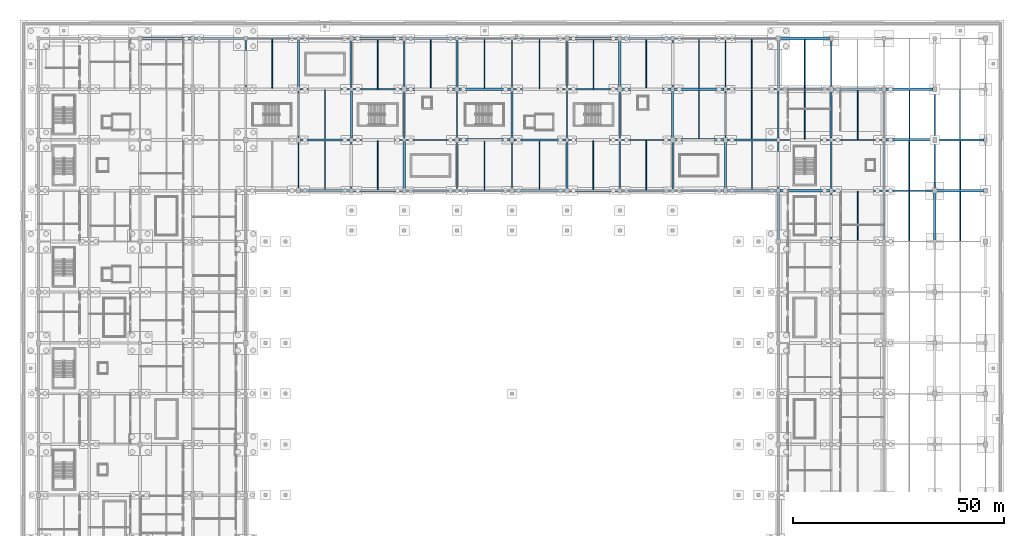
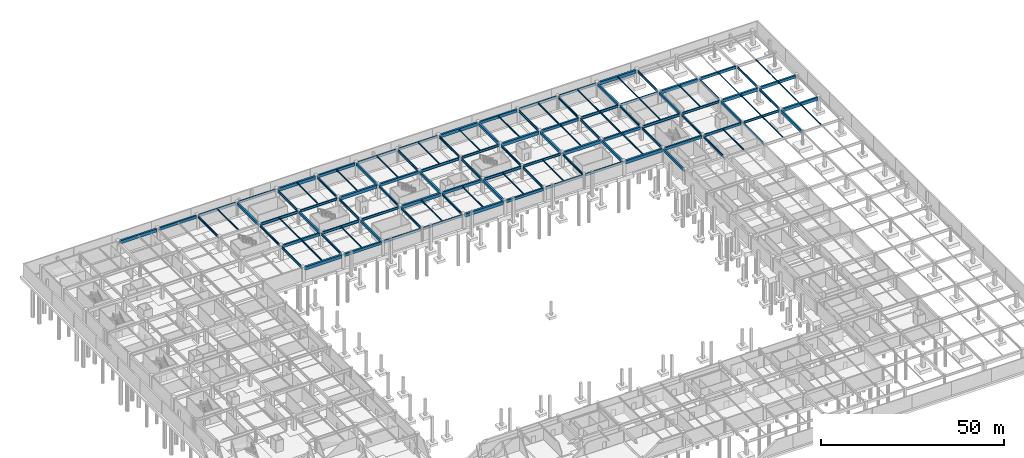
# One storey, part 19 of 56: 122 beams.
"""IFC4 building model written with IfcOpenShell, lengths in metres."""

from ifc_helpers import new_model, si_unit, direction, frame, origin, origin_2d, place, context, subcontext, project, spatial, rectangle, i_section, extrude, material, material_profile, profile_set, type_object, element, save


model = new_model("IFC4")

# Units and contexts
model_context = context("Model", 3, precision=1e-05, world=origin(), true_north=direction((0.0, 1.0)))
body_context = subcontext(model_context, "Body", "Model", "MODEL_VIEW")
ifc_project = project(units=[si_unit("LENGTHUNIT", "METRE"), si_unit("AREAUNIT", "SQUARE_METRE"), si_unit("VOLUMEUNIT", "CUBIC_METRE"), si_unit("PLANEANGLEUNIT", "RADIAN"), si_unit("MASSUNIT", "GRAM", prefix="KILO")], contexts=[model_context])

# Site, building, storey
site_placement = place(None, origin())
site = spatial("IfcSite", under=ifc_project, at=site_placement, CompositionType="ELEMENT")
building_placement = place(site_placement, origin())
building = spatial("IfcBuilding", under=site, at=building_placement, Name="Kazenohara Klinker Stadium", CompositionType="ELEMENT")
storey_placement = place(building_placement, frame((0.0, 0.0, -4.800048828125)))
storey = spatial("IfcBuildingStorey", under=building, at=storey_placement, Name="B01", CompositionType="ELEMENT", Elevation=-4.800048828125)

# Beams
ifc_material_1 = material(Name="Steel S355", Category="steel")
ifc_material_profile_1 = material_profile(ifc_material_1, i_section(OverallWidth=0.199951171875, OverallDepth=0.5, WebThickness=0.010009765625, FlangeThickness=0.01611328125, FilletRadius=0.012939453125, at=origin_2d()), Name="H-500x200x10x16")
ifc_profile_set_1 = profile_set([ifc_material_profile_1], Name="Steel S355")
beam_type_1 = type_object("IfcBeamType", Name="BM-JST01", PredefinedType="JOIST", material=ifc_profile_set_1)
for number, where, z_axis, x_axis, name in (
    (1, (92.75, 156.300048828125, 4.2099609375), (0.0, 1.0, 0.0), (-1.0, 0.0, 0.0), "Secondary floor joist SJ01 B01 8/P"),
    (2, (118.5, 132.300048828125, 4.2099609375), (0.0, 1.0, 0.0), (-1.0, 0.0, 0.0), "Secondary floor joist SJ01 B01 10/M"),
):
    element("IfcBeam", number, at=place(storey_placement, frame(where, z_axis=z_axis, x_axis=x_axis)), inside=storey, type_object=beam_type_1, Name=name, PredefinedType="JOIST", context=body_context, shape_type="SweptSolid", body=[
        extrude(i_section(OverallWidth=0.199951171875, OverallDepth=0.5, WebThickness=0.010009765625, FlangeThickness=0.01611328125, FilletRadius=0.012939453125, at=origin_2d()), origin(), (0.0, 0.0, 1.0), 11.449951171875),
    ])
for number, where, z_axis, x_axis, name in (
    (3, (156.25, 156.25, 4.2099609375), (0.0, 1.0, 0.0), (-1.0, 0.0, 0.0), "Secondary floor joist SJ01 B01 13/P"),
    (4, (168.75, 144.25, 4.2099609375), (0.0, 1.0, 0.0), (-1.0, 0.0, 0.0), "Secondary floor joist SJ01 B01 14/N"),
    (5, (193.75, 120.25, 4.2099609375), (0.0, 1.0, 0.0), (-1.0, 0.0, 0.0), "Secondary floor joist SJ01 B01 16/L"),
):
    element("IfcBeam", number, at=place(storey_placement, frame(where, z_axis=z_axis, x_axis=x_axis)), inside=storey, type_object=beam_type_1, Name=name, PredefinedType="JOIST", context=body_context, shape_type="SweptSolid", body=[
        extrude(i_section(OverallWidth=0.199951171875, OverallDepth=0.5, WebThickness=0.010009765625, FlangeThickness=0.01611328125, FilletRadius=0.012939453125, at=origin_2d()), origin(), (0.0, 0.0, 1.0), 11.60009765625),
    ])
ifc_material_profile_2 = material_profile(ifc_material_1, i_section(OverallWidth=0.199951171875, OverallDepth=0.449951171875, WebThickness=0.009033203125, FlangeThickness=0.013916015625, FilletRadius=0.012939453125, at=origin_2d()), Name="H-450x200x9x14")
ifc_profile_set_2 = profile_set([ifc_material_profile_2], Name="Steel S355")
beam_type_2 = type_object("IfcBeamType", Name="BM-JST02", PredefinedType="JOIST", material=ifc_profile_set_2)
beam_1_placement = place(storey_placement, frame((67.75, 132.300048828125, 4.235107421875), z_axis=(0.0, 1.0, 0.0), x_axis=(-1.0, 0.0, 0.0)))
element("IfcBeam", 6, at=beam_1_placement, inside=storey, type_object=beam_type_2, Name="Secondary floor joist SJ02 B01 6/M", PredefinedType="JOIST", context=body_context, shape_type="SweptSolid", body=[
    extrude(i_section(OverallWidth=0.199951171875, OverallDepth=0.449951171875, WebThickness=0.009033203125, FlangeThickness=0.013916015625, FilletRadius=0.012939453125, at=origin_2d()), origin(), (0.0, 0.0, 1.0), 11.449951171875),
])
for number, where, z_axis, x_axis, name in (
    (7, (105.5, 156.25, 4.235107421875), (0.0, 1.0, 0.0), (-1.0, 0.0, 0.0), "Secondary floor joist SJ02 B01 9/P"),
    (8, (131.25, 132.25, 4.235107421875), (0.0, 1.0, 0.0), (-1.0, 0.0, 0.0), "Secondary floor joist SJ02 B01 11/M"),
):
    element("IfcBeam", number, at=place(storey_placement, frame(where, z_axis=z_axis, x_axis=x_axis)), inside=storey, type_object=beam_type_2, Name=name, PredefinedType="JOIST", context=body_context, shape_type="SweptSolid", body=[
        extrude(i_section(OverallWidth=0.199951171875, OverallDepth=0.449951171875, WebThickness=0.009033203125, FlangeThickness=0.013916015625, FilletRadius=0.012939453125, at=origin_2d()), origin(), (0.0, 0.0, 1.0), 11.60009765625),
    ])
for number, where, z_axis, x_axis, name in (
    (9, (168.75, 156.14990234375, 4.235107421875), (0.0, 1.0, 0.0), (-1.0, 0.0, 0.0), "Secondary floor joist SJ02 B01 14/P"),
    (10, (181.25, 144.14990234375, 4.235107421875), (0.0, 1.0, 0.0), (-1.0, 0.0, 0.0), "Secondary floor joist SJ02 B01 15/N"),
    (11, (206.0, 120.14990234375, 4.235107421875), (0.0, 1.0, 0.0), (-1.0, 0.0, 0.0), "Secondary floor joist SJ02 B01 17/L"),
):
    element("IfcBeam", number, at=place(storey_placement, frame(where, z_axis=z_axis, x_axis=x_axis)), inside=storey, type_object=beam_type_2, Name=name, PredefinedType="JOIST", context=body_context, shape_type="SweptSolid", body=[
        extrude(i_section(OverallWidth=0.199951171875, OverallDepth=0.449951171875, WebThickness=0.009033203125, FlangeThickness=0.013916015625, FilletRadius=0.012939453125, at=origin_2d()), origin(), (0.0, 0.0, 1.0), 11.7001953125),
    ])
ifc_material_profile_3 = material_profile(ifc_material_1, i_section(OverallWidth=0.199951171875, OverallDepth=0.39990234375, WebThickness=0.008056640625, FlangeThickness=0.012939453125, FilletRadius=0.012939453125, at=origin_2d()), Name="H-400x200x8x13")
ifc_profile_set_3 = profile_set([ifc_material_profile_3], Name="Steel S355")
beam_type_3 = type_object("IfcBeamType", Name="BM-JST03", PredefinedType="JOIST", material=ifc_profile_set_3)
for number, where, z_axis, x_axis, name in (
    (12, (55.25, 156.25, 4.260009765625), (0.0, 1.0, 0.0), (-1.0, 0.0, 0.0), "Secondary floor joist SJ03 B01 5/P"),
    (13, (67.75, 144.25, 4.260009765625), (0.0, 1.0, 0.0), (-1.0, 0.0, 0.0), "Secondary floor joist SJ03 B01 6/N"),
    (14, (80.25, 132.25, 4.260009765625), (0.0, 1.0, 0.0), (-1.0, 0.0, 0.0), "Secondary floor joist SJ03 B01 7/M"),
):
    element("IfcBeam", number, at=place(storey_placement, frame(where, z_axis=z_axis, x_axis=x_axis)), inside=storey, type_object=beam_type_3, Name=name, PredefinedType="JOIST", context=body_context, shape_type="SweptSolid", body=[
        extrude(i_section(OverallWidth=0.199951171875, OverallDepth=0.39990234375, WebThickness=0.008056640625, FlangeThickness=0.012939453125, FilletRadius=0.012939453125, at=origin_2d()), origin(), (0.0, 0.0, 1.0), 11.60009765625),
    ])
for number, where, z_axis, x_axis, name in (
    (15, (118.5, 156.14990234375, 4.260009765625), (0.0, 1.0, 0.0), (-1.0, 0.0, 0.0), "Secondary floor joist SJ03 B01 10/P"),
    (16, (143.75, 132.14990234375, 4.260009765625), (0.0, 1.0, 0.0), (-1.0, 0.0, 0.0), "Secondary floor joist SJ03 B01 12/M"),
):
    element("IfcBeam", number, at=place(storey_placement, frame(where, z_axis=z_axis, x_axis=x_axis)), inside=storey, type_object=beam_type_3, Name=name, PredefinedType="JOIST", context=body_context, shape_type="SweptSolid", body=[
        extrude(i_section(OverallWidth=0.199951171875, OverallDepth=0.39990234375, WebThickness=0.008056640625, FlangeThickness=0.012939453125, FilletRadius=0.012939453125, at=origin_2d()), origin(), (0.0, 0.0, 1.0), 11.7001953125),
    ])
for number, where, z_axis, x_axis, name in (
    (17, (181.25, 156.14990234375, 4.260009765625), (0.0, 1.0, 0.0), (-1.0, 0.0, 0.0), "Secondary floor joist SJ03 B01 15/P"),
    (18, (193.75, 144.14990234375, 4.260009765625), (0.0, 1.0, 0.0), (-1.0, 0.0, 0.0), "Secondary floor joist SJ03 B01 16/N"),
    (19, (206.0, 132.14990234375, 4.260009765625), (0.0, 1.0, 0.0), (-1.0, 0.0, 0.0), "Secondary floor joist SJ03 B01 17/M"),
    (20, (218.0, 120.14990234375, 4.260009765625), (0.0, 1.0, 0.0), (-1.0, 0.0, 0.0), "Secondary floor joist SJ03 B01 18/L"),
):
    element("IfcBeam", number, at=place(storey_placement, frame(where, z_axis=z_axis, x_axis=x_axis)), inside=storey, type_object=beam_type_3, Name=name, PredefinedType="JOIST", context=body_context, shape_type="SweptSolid", body=[
        extrude(i_section(OverallWidth=0.199951171875, OverallDepth=0.39990234375, WebThickness=0.008056640625, FlangeThickness=0.012939453125, FilletRadius=0.012939453125, at=origin_2d()), origin(), (0.0, 0.0, 1.0), 11.550048828125),
    ])
ifc_material_profile_4 = material_profile(ifc_material_1, i_section(OverallWidth=0.175048828125, OverallDepth=0.35009765625, WebThickness=0.007080078125, FlangeThickness=0.010986328125, FilletRadius=0.012939453125, at=origin_2d()), Name="H-350x175x7x11")
ifc_profile_set_4 = profile_set([ifc_material_profile_4], Name="Steel S355")
beam_type_4 = type_object("IfcBeamType", Name="BM-JST04", PredefinedType="JOIST", material=ifc_profile_set_4)
beam_2_placement = place(storey_placement, frame((131.25, 156.14990234375, 4.28515625), z_axis=(0.0, 1.0, 0.0), x_axis=(-1.0, 0.0, 0.0)))
element("IfcBeam", 21, at=beam_2_placement, inside=storey, type_object=beam_type_4, Name="Secondary floor joist SJ04 B01 11/P", PredefinedType="JOIST", context=body_context, shape_type="SweptSolid", body=[
    extrude(i_section(OverallWidth=0.175048828125, OverallDepth=0.35009765625, WebThickness=0.007080078125, FlangeThickness=0.010986328125, FilletRadius=0.012939453125, at=origin_2d()), origin(), (0.0, 0.0, 1.0), 11.550048828125),
])
for number, where, z_axis, x_axis, name in (
    (22, (206.0, 144.300048828125, 4.28515625), (0.0, 1.0, 0.0), (-1.0, 0.0, 0.0), "Secondary floor joist SJ04 B01 17/N"),
    (23, (218.0, 132.300048828125, 4.28515625), (0.0, 1.0, 0.0), (-1.0, 0.0, 0.0), "Secondary floor joist SJ04 B01 18/M"),
):
    element("IfcBeam", number, at=place(storey_placement, frame(where, z_axis=z_axis, x_axis=x_axis)), inside=storey, type_object=beam_type_4, Name=name, PredefinedType="JOIST", context=body_context, shape_type="SweptSolid", body=[
        extrude(i_section(OverallWidth=0.175048828125, OverallDepth=0.35009765625, WebThickness=0.007080078125, FlangeThickness=0.010986328125, FilletRadius=0.012939453125, at=origin_2d()), origin(), (0.0, 0.0, 1.0), 11.449951171875),
    ])
ifc_material_profile_5 = material_profile(ifc_material_1, i_section(OverallWidth=0.14990234375, OverallDepth=0.300048828125, WebThickness=0.006591796875, FlangeThickness=0.009033203125, FilletRadius=0.012939453125, at=origin_2d()), Name="H-300x150x6.5x9")
ifc_profile_set_5 = profile_set([ifc_material_profile_5], Name="Steel S355")
beam_type_5 = type_object("IfcBeamType", Name="BM-JST05", PredefinedType="JOIST", material=ifc_profile_set_5)
for number, where, z_axis, x_axis, name in (
    (24, (80.25, 156.14990234375, 4.31005859375), (0.0, 1.0, 0.0), (-1.0, 0.0, 0.0), "Secondary floor joist SJ05 B01 7/P"),
    (25, (105.5, 132.14990234375, 4.31005859375), (0.0, 1.0, 0.0), (-1.0, 0.0, 0.0), "Secondary floor joist SJ05 B01 9/M"),
):
    element("IfcBeam", number, at=place(storey_placement, frame(where, z_axis=z_axis, x_axis=x_axis)), inside=storey, type_object=beam_type_5, Name=name, PredefinedType="JOIST", context=body_context, shape_type="SweptSolid", body=[
        extrude(i_section(OverallWidth=0.14990234375, OverallDepth=0.300048828125, WebThickness=0.006591796875, FlangeThickness=0.009033203125, FilletRadius=0.012939453125, at=origin_2d()), origin(), (0.0, 0.0, 1.0), 11.550048828125),
    ])
for number, where, z_axis, x_axis, name in (
    (26, (143.75, 156.300048828125, 4.31005859375), (0.0, 1.0, 0.0), (-1.0, 0.0, 0.0), "Secondary floor joist SJ05 B01 12/P"),
    (27, (156.25, 144.300048828125, 4.31005859375), (0.0, 1.0, 0.0), (-1.0, 0.0, 0.0), "Secondary floor joist SJ05 B01 13/N"),
    (28, (168.75, 132.300048828125, 4.31005859375), (0.0, 1.0, 0.0), (-1.0, 0.0, 0.0), "Secondary floor joist SJ05 B01 14/M"),
):
    element("IfcBeam", number, at=place(storey_placement, frame(where, z_axis=z_axis, x_axis=x_axis)), inside=storey, type_object=beam_type_5, Name=name, PredefinedType="JOIST", context=body_context, shape_type="SweptSolid", body=[
        extrude(i_section(OverallWidth=0.14990234375, OverallDepth=0.300048828125, WebThickness=0.006591796875, FlangeThickness=0.009033203125, FilletRadius=0.012939453125, at=origin_2d()), origin(), (0.0, 0.0, 1.0), 11.449951171875),
    ])
beam_3_placement = place(storey_placement, frame((218.0, 144.25, 4.31005859375), z_axis=(0.0, 1.0, 0.0), x_axis=(-1.0, 0.0, 0.0)))
element("IfcBeam", 29, at=beam_3_placement, inside=storey, type_object=beam_type_5, Name="Secondary floor joist SJ05 B01 18/N", PredefinedType="JOIST", context=body_context, shape_type="SweptSolid", body=[
    extrude(i_section(OverallWidth=0.14990234375, OverallDepth=0.300048828125, WebThickness=0.006591796875, FlangeThickness=0.009033203125, FilletRadius=0.012939453125, at=origin_2d()), origin(), (0.0, 0.0, 1.0), 11.60009765625),
])
ifc_material_2 = material(Name="Concrete C40/50", Category="concrete")
ifc_material_profile_6 = material_profile(ifc_material_2, rectangle(XDim=0.60009765625, YDim=1.050048828125, at=origin_2d()), Name="RC-BM-600x1050")
ifc_profile_set_6 = profile_set([ifc_material_profile_6], Name="Concrete C40/50")
beam_type_6 = type_object("IfcBeamType", Name="BM-RC01", PredefinedType="BEAM", material=ifc_profile_set_6)
for number, where, z_axis, x_axis, name in (
    (30, (24.419921875, 168.0, 3.93505859375), (1.0, 0.0, 0.0), (0.0, 1.0, 0.0), "Primary girder BG01 B01 3-4/Q"),
    (31, (61.919921875, 132.0, 3.93505859375), (1.0, 0.0, 0.0), (0.0, 1.0, 0.0), "Primary girder BG01 B01 6-7/M"),
    (32, (74.419921875, 168.0, 3.93505859375), (1.0, 0.0, 0.0), (0.0, 1.0, 0.0), "Primary girder BG01 B01 7-8/Q"),
    (33, (86.919921875, 156.0, 3.93505859375), (1.0, 0.0, 0.0), (0.0, 1.0, 0.0), "Primary girder BG01 B01 8-9/P"),
):
    element("IfcBeam", number, at=place(storey_placement, frame(where, z_axis=z_axis, x_axis=x_axis)), inside=storey, type_object=beam_type_6, Name=name, PredefinedType="BEAM", context=body_context, shape_type="SweptSolid", body=[
        extrude(rectangle(XDim=0.60009765625, YDim=1.050048828125, at=origin_2d()), origin(), (0.0, 0.0, 1.0), 11.66015625),
    ])
for number, where, z_axis, x_axis, name in (
    (34, (99.419921875, 144.0, 3.93505859375), (1.0, 0.0, 0.0), (0.0, 1.0, 0.0), "Primary girder BG01 B01 9-10/N"),
    (35, (112.419921875, 132.0, 3.93505859375), (1.0, 0.0, 0.0), (0.0, 1.0, 0.0), "Primary girder BG01 B01 10-11/M"),
):
    element("IfcBeam", number, at=place(storey_placement, frame(where, z_axis=z_axis, x_axis=x_axis)), inside=storey, type_object=beam_type_6, Name=name, PredefinedType="BEAM", context=body_context, shape_type="SweptSolid", body=[
        extrude(rectangle(XDim=0.60009765625, YDim=1.050048828125, at=origin_2d()), origin(), (0.0, 0.0, 1.0), 12.16015625),
    ])
for number, where, z_axis, x_axis, name in (
    (36, (125.419921875, 168.0, 3.93505859375), (1.0, 0.0, 0.0), (0.0, 1.0, 0.0), "Primary girder BG01 B01 11-12/Q"),
    (37, (137.919921875, 156.0, 3.93505859375), (1.0, 0.0, 0.0), (0.0, 1.0, 0.0), "Primary girder BG01 B01 12-13/P"),
    (38, (150.419921875, 144.0, 3.93505859375), (1.0, 0.0, 0.0), (0.0, 1.0, 0.0), "Primary girder BG01 B01 13-14/N"),
    (39, (162.919921875, 132.0, 3.93505859375), (1.0, 0.0, 0.0), (0.0, 1.0, 0.0), "Primary girder BG01 B01 14-15/M"),
    (40, (175.419921875, 168.0, 3.93505859375), (1.0, 0.0, 0.0), (0.0, 1.0, 0.0), "Primary girder BG01 B01 15-16/Q"),
    (41, (187.919921875, 156.0, 3.93505859375), (1.0, 0.0, 0.0), (0.0, 1.0, 0.0), "Primary girder BG01 B01 16-17/P"),
):
    element("IfcBeam", number, at=place(storey_placement, frame(where, z_axis=z_axis, x_axis=x_axis)), inside=storey, type_object=beam_type_6, Name=name, PredefinedType="BEAM", context=body_context, shape_type="SweptSolid", body=[
        extrude(rectangle(XDim=0.60009765625, YDim=1.050048828125, at=origin_2d()), origin(), (0.0, 0.0, 1.0), 11.66015625),
    ])
for number, where, z_axis, x_axis, name in (
    (42, (200.419921875, 144.0, 3.93505859375), (1.0, 0.0, 0.0), (0.0, 1.0, 0.0), "Primary girder BG01 B01 17-18/N"),
    (43, (212.419921875, 132.0, 3.93505859375), (1.0, 0.0, 0.0), (0.0, 1.0, 0.0), "Primary girder BG01 B01 18-19/M"),
):
    element("IfcBeam", number, at=place(storey_placement, frame(where, z_axis=z_axis, x_axis=x_axis)), inside=storey, type_object=beam_type_6, Name=name, PredefinedType="BEAM", context=body_context, shape_type="SweptSolid", body=[
        extrude(rectangle(XDim=0.60009765625, YDim=1.050048828125, at=origin_2d()), origin(), (0.0, 0.0, 1.0), 11.16015625),
    ])
ifc_material_profile_7 = material_profile(ifc_material_2, rectangle(XDim=0.5, YDim=0.89990234375, at=origin_2d()), Name="RC-BM-500x900")
ifc_profile_set_7 = profile_set([ifc_material_profile_7], Name="Concrete C40/50")
beam_type_7 = type_object("IfcBeamType", Name="BM-RC02", PredefinedType="BEAM", material=ifc_profile_set_7)
for number, where, z_axis, x_axis, name in (
    (44, (36.919921875, 168.0, 4.010009765625), (1.0, 0.0, 0.0), (0.0, 1.0, 0.0), "Primary girder BG02 B01 4-5/Q"),
    (45, (61.919921875, 144.0, 4.010009765625), (1.0, 0.0, 0.0), (0.0, 1.0, 0.0), "Primary girder BG02 B01 6-7/N"),
    (46, (74.419921875, 132.0, 4.010009765625), (1.0, 0.0, 0.0), (0.0, 1.0, 0.0), "Primary girder BG02 B01 7-8/M"),
    (47, (86.919921875, 168.0, 4.010009765625), (1.0, 0.0, 0.0), (0.0, 1.0, 0.0), "Primary girder BG02 B01 8-9/Q"),
):
    element("IfcBeam", number, at=place(storey_placement, frame(where, z_axis=z_axis, x_axis=x_axis)), inside=storey, type_object=beam_type_7, Name=name, PredefinedType="BEAM", context=body_context, shape_type="SweptSolid", body=[
        extrude(rectangle(XDim=0.5, YDim=0.89990234375, at=origin_2d()), origin(), (0.0, 0.0, 1.0), 11.68017578125),
    ])
for number, where, z_axis, x_axis, name in (
    (48, (99.419921875, 156.0, 4.010009765625), (1.0, 0.0, 0.0), (0.0, 1.0, 0.0), "Primary girder BG02 B01 9-10/P"),
    (49, (112.419921875, 144.0, 4.010009765625), (1.0, 0.0, 0.0), (0.0, 1.0, 0.0), "Primary girder BG02 B01 10-11/N"),
):
    element("IfcBeam", number, at=place(storey_placement, frame(where, z_axis=z_axis, x_axis=x_axis)), inside=storey, type_object=beam_type_7, Name=name, PredefinedType="BEAM", context=body_context, shape_type="SweptSolid", body=[
        extrude(rectangle(XDim=0.5, YDim=0.89990234375, at=origin_2d()), origin(), (0.0, 0.0, 1.0), 12.18017578125),
    ])
for number, where, z_axis, x_axis, name in (
    (50, (125.419921875, 132.0, 4.010009765625), (1.0, 0.0, 0.0), (0.0, 1.0, 0.0), "Primary girder BG02 B01 11-12/M"),
    (51, (137.919921875, 168.0, 4.010009765625), (1.0, 0.0, 0.0), (0.0, 1.0, 0.0), "Primary girder BG02 B01 12-13/Q"),
    (52, (150.419921875, 156.0, 4.010009765625), (1.0, 0.0, 0.0), (0.0, 1.0, 0.0), "Primary girder BG02 B01 13-14/P"),
    (53, (162.919921875, 144.0, 4.010009765625), (1.0, 0.0, 0.0), (0.0, 1.0, 0.0), "Primary girder BG02 B01 14-15/N"),
    (54, (175.419921875, 132.0, 4.010009765625), (1.0, 0.0, 0.0), (0.0, 1.0, 0.0), "Primary girder BG02 B01 15-16/M"),
):
    element("IfcBeam", number, at=place(storey_placement, frame(where, z_axis=z_axis, x_axis=x_axis)), inside=storey, type_object=beam_type_7, Name=name, PredefinedType="BEAM", context=body_context, shape_type="SweptSolid", body=[
        extrude(rectangle(XDim=0.5, YDim=0.89990234375, at=origin_2d()), origin(), (0.0, 0.0, 1.0), 11.68017578125),
    ])
for number, where, z_axis, x_axis, name in (
    (55, (200.419921875, 156.0, 4.010009765625), (1.0, 0.0, 0.0), (0.0, 1.0, 0.0), "Primary girder BG02 B01 17-18/P"),
    (56, (212.419921875, 144.0, 4.010009765625), (1.0, 0.0, 0.0), (0.0, 1.0, 0.0), "Primary girder BG02 B01 18-19/N"),
):
    element("IfcBeam", number, at=place(storey_placement, frame(where, z_axis=z_axis, x_axis=x_axis)), inside=storey, type_object=beam_type_7, Name=name, PredefinedType="BEAM", context=body_context, shape_type="SweptSolid", body=[
        extrude(rectangle(XDim=0.5, YDim=0.89990234375, at=origin_2d()), origin(), (0.0, 0.0, 1.0), 11.18017578125),
    ])
for number, where, z_axis, x_axis, name in (
    (57, (61.5, 156.419921875, 4.010009765625), (0.0, 1.0, 0.0), (-1.0, 0.0, 0.0), "Primary girder BG02 B01 6/P-Q"),
    (58, (74.0, 144.419921875, 4.010009765625), (0.0, 1.0, 0.0), (-1.0, 0.0, 0.0), "Primary girder BG02 B01 7/N-P"),
    (59, (86.5, 132.419921875, 4.010009765625), (0.0, 1.0, 0.0), (-1.0, 0.0, 0.0), "Primary girder BG02 B01 8/M-N"),
    (60, (99.0, 156.419921875, 4.010009765625), (0.0, 1.0, 0.0), (-1.0, 0.0, 0.0), "Primary girder BG02 B01 9/P-Q"),
    (61, (112.0, 144.419921875, 4.010009765625), (0.0, 1.0, 0.0), (-1.0, 0.0, 0.0), "Primary girder BG02 B01 10/N-P"),
    (62, (125.0, 132.419921875, 4.010009765625), (0.0, 1.0, 0.0), (-1.0, 0.0, 0.0), "Primary girder BG02 B01 11/M-N"),
    (63, (137.5, 156.419921875, 4.010009765625), (0.0, 1.0, 0.0), (-1.0, 0.0, 0.0), "Primary girder BG02 B01 12/P-Q"),
    (64, (150.0, 144.419921875, 4.010009765625), (0.0, 1.0, 0.0), (-1.0, 0.0, 0.0), "Primary girder BG02 B01 13/N-P"),
    (65, (162.5, 132.419921875, 4.010009765625), (0.0, 1.0, 0.0), (-1.0, 0.0, 0.0), "Primary girder BG02 B01 14/M-N"),
    (66, (175.0, 120.419921875, 4.010009765625), (0.0, 1.0, 0.0), (-1.0, 0.0, 0.0), "Primary girder BG02 B01 15/L-M"),
    (67, (175.0, 156.419921875, 4.010009765625), (0.0, 1.0, 0.0), (-1.0, 0.0, 0.0), "Primary girder BG02 B01 15/P-Q"),
    (68, (187.5, 144.419921875, 4.010009765625), (0.0, 1.0, 0.0), (-1.0, 0.0, 0.0), "Primary girder BG02 B01 16/N-P"),
    (69, (200.0, 132.419921875, 4.010009765625), (0.0, 1.0, 0.0), (-1.0, 0.0, 0.0), "Primary girder BG02 B01 17/M-N"),
    (70, (212.0, 120.419921875, 4.010009765625), (0.0, 1.0, 0.0), (-1.0, 0.0, 0.0), "Primary girder BG02 B01 18/L-M"),
):
    element("IfcBeam", number, at=place(storey_placement, frame(where, z_axis=z_axis, x_axis=x_axis)), inside=storey, type_object=beam_type_7, Name=name, PredefinedType="BEAM", context=body_context, shape_type="SweptSolid", body=[
        extrude(rectangle(XDim=0.5, YDim=0.89990234375, at=origin_2d()), origin(), (0.0, 0.0, 1.0), 11.16015625),
    ])
ifc_material_profile_8 = material_profile(ifc_material_1, i_section(OverallWidth=0.300048828125, OverallDepth=0.89990234375, WebThickness=0.01611328125, FlangeThickness=0.028076171875, FilletRadius=0.02197265625, at=origin_2d()), Name="H-900x300x16x28")
ifc_profile_set_8 = profile_set([ifc_material_profile_8], Name="Steel S355")
beam_type_8 = type_object("IfcBeamType", Name="BM-ST01", PredefinedType="BEAM", material=ifc_profile_set_8)
for number, where, z_axis, x_axis, name in (
    (71, (49.39990234375, 168.0, 4.010009765625), (1.0, 0.0, 0.0), (0.0, 1.0, 0.0), "Primary girder SB01 B01 5-6/Q"),
    (72, (61.89990234375, 156.0, 4.010009765625), (1.0, 0.0, 0.0), (0.0, 1.0, 0.0), "Primary girder SB01 B01 6-7/P"),
    (73, (74.39990234375, 144.0, 4.010009765625), (1.0, 0.0, 0.0), (0.0, 1.0, 0.0), "Primary girder SB01 B01 7-8/N"),
    (74, (86.89990234375, 132.0, 4.010009765625), (1.0, 0.0, 0.0), (0.0, 1.0, 0.0), "Primary girder SB01 B01 8-9/M"),
):
    element("IfcBeam", number, at=place(storey_placement, frame(where, z_axis=z_axis, x_axis=x_axis)), inside=storey, type_object=beam_type_8, Name=name, PredefinedType="BEAM", context=body_context, shape_type="SweptSolid", body=[
        extrude(i_section(OverallWidth=0.300048828125, OverallDepth=0.89990234375, WebThickness=0.01611328125, FlangeThickness=0.028076171875, FilletRadius=0.02197265625, at=origin_2d()), origin(), (0.0, 0.0, 1.0), 11.68017578125),
    ])
for number, where, z_axis, x_axis, name in (
    (75, (99.39990234375, 168.0, 4.010009765625), (1.0, 0.0, 0.0), (0.0, 1.0, 0.0), "Primary girder SB01 B01 9-10/Q"),
    (76, (112.39990234375, 156.0, 4.010009765625), (1.0, 0.0, 0.0), (0.0, 1.0, 0.0), "Primary girder SB01 B01 10-11/P"),
):
    element("IfcBeam", number, at=place(storey_placement, frame(where, z_axis=z_axis, x_axis=x_axis)), inside=storey, type_object=beam_type_8, Name=name, PredefinedType="BEAM", context=body_context, shape_type="SweptSolid", body=[
        extrude(i_section(OverallWidth=0.300048828125, OverallDepth=0.89990234375, WebThickness=0.01611328125, FlangeThickness=0.028076171875, FilletRadius=0.02197265625, at=origin_2d()), origin(), (0.0, 0.0, 1.0), 12.18017578125),
    ])
for number, where, z_axis, x_axis, name in (
    (77, (125.39990234375, 144.0, 4.010009765625), (1.0, 0.0, 0.0), (0.0, 1.0, 0.0), "Primary girder SB01 B01 11-12/N"),
    (78, (137.89990234375, 132.0, 4.010009765625), (1.0, 0.0, 0.0), (0.0, 1.0, 0.0), "Primary girder SB01 B01 12-13/M"),
    (79, (150.39990234375, 168.0, 4.010009765625), (1.0, 0.0, 0.0), (0.0, 1.0, 0.0), "Primary girder SB01 B01 13-14/Q"),
    (80, (162.89990234375, 156.0, 4.010009765625), (1.0, 0.0, 0.0), (0.0, 1.0, 0.0), "Primary girder SB01 B01 14-15/P"),
    (81, (175.39990234375, 144.0, 4.010009765625), (1.0, 0.0, 0.0), (0.0, 1.0, 0.0), "Primary girder SB01 B01 15-16/N"),
    (82, (187.89990234375, 132.0, 4.010009765625), (1.0, 0.0, 0.0), (0.0, 1.0, 0.0), "Primary girder SB01 B01 16-17/M"),
):
    element("IfcBeam", number, at=place(storey_placement, frame(where, z_axis=z_axis, x_axis=x_axis)), inside=storey, type_object=beam_type_8, Name=name, PredefinedType="BEAM", context=body_context, shape_type="SweptSolid", body=[
        extrude(i_section(OverallWidth=0.300048828125, OverallDepth=0.89990234375, WebThickness=0.01611328125, FlangeThickness=0.028076171875, FilletRadius=0.02197265625, at=origin_2d()), origin(), (0.0, 0.0, 1.0), 11.68017578125),
    ])
ifc_material_profile_9 = material_profile(ifc_material_1, i_section(OverallWidth=0.300048828125, OverallDepth=0.800048828125, WebThickness=0.013916015625, FlangeThickness=0.02587890625, FilletRadius=0.02197265625, at=origin_2d()), Name="H-800x300x14x26")
ifc_profile_set_9 = profile_set([ifc_material_profile_9], Name="Steel S355")
beam_type_9 = type_object("IfcBeamType", Name="BM-ST02", PredefinedType="BEAM", material=ifc_profile_set_9)
for number, where, z_axis, x_axis, name in (
    (83, (61.919921875, 168.0, 4.06005859375), (1.0, 0.0, 0.0), (0.0, 1.0, 0.0), "Primary girder SB02 B01 6-7/Q"),
    (84, (74.419921875, 156.0, 4.06005859375), (1.0, 0.0, 0.0), (0.0, 1.0, 0.0), "Primary girder SB02 B01 7-8/P"),
    (85, (86.919921875, 144.0, 4.06005859375), (1.0, 0.0, 0.0), (0.0, 1.0, 0.0), "Primary girder SB02 B01 8-9/N"),
):
    element("IfcBeam", number, at=place(storey_placement, frame(where, z_axis=z_axis, x_axis=x_axis)), inside=storey, type_object=beam_type_9, Name=name, PredefinedType="BEAM", context=body_context, shape_type="SweptSolid", body=[
        extrude(i_section(OverallWidth=0.300048828125, OverallDepth=0.800048828125, WebThickness=0.013916015625, FlangeThickness=0.02587890625, FilletRadius=0.02197265625, at=origin_2d()), origin(), (0.0, 0.0, 1.0), 11.66015625),
    ])
for number, where, z_axis, x_axis, name in (
    (86, (99.419921875, 132.0, 4.06005859375), (1.0, 0.0, 0.0), (0.0, 1.0, 0.0), "Primary girder SB02 B01 9-10/M"),
    (87, (112.419921875, 168.0, 4.06005859375), (1.0, 0.0, 0.0), (0.0, 1.0, 0.0), "Primary girder SB02 B01 10-11/Q"),
):
    element("IfcBeam", number, at=place(storey_placement, frame(where, z_axis=z_axis, x_axis=x_axis)), inside=storey, type_object=beam_type_9, Name=name, PredefinedType="BEAM", context=body_context, shape_type="SweptSolid", body=[
        extrude(i_section(OverallWidth=0.300048828125, OverallDepth=0.800048828125, WebThickness=0.013916015625, FlangeThickness=0.02587890625, FilletRadius=0.02197265625, at=origin_2d()), origin(), (0.0, 0.0, 1.0), 12.16015625),
    ])
for number, where, z_axis, x_axis, name in (
    (88, (125.419921875, 156.0, 4.06005859375), (1.0, 0.0, 0.0), (0.0, 1.0, 0.0), "Primary girder SB02 B01 11-12/P"),
    (89, (137.919921875, 144.0, 4.06005859375), (1.0, 0.0, 0.0), (0.0, 1.0, 0.0), "Primary girder SB02 B01 12-13/N"),
    (90, (150.419921875, 132.0, 4.06005859375), (1.0, 0.0, 0.0), (0.0, 1.0, 0.0), "Primary girder SB02 B01 13-14/M"),
    (91, (162.919921875, 168.0, 4.06005859375), (1.0, 0.0, 0.0), (0.0, 1.0, 0.0), "Primary girder SB02 B01 14-15/Q"),
    (92, (175.419921875, 156.0, 4.06005859375), (1.0, 0.0, 0.0), (0.0, 1.0, 0.0), "Primary girder SB02 B01 15-16/P"),
    (93, (187.919921875, 144.0, 4.06005859375), (1.0, 0.0, 0.0), (0.0, 1.0, 0.0), "Primary girder SB02 B01 16-17/N"),
):
    element("IfcBeam", number, at=place(storey_placement, frame(where, z_axis=z_axis, x_axis=x_axis)), inside=storey, type_object=beam_type_9, Name=name, PredefinedType="BEAM", context=body_context, shape_type="SweptSolid", body=[
        extrude(i_section(OverallWidth=0.300048828125, OverallDepth=0.800048828125, WebThickness=0.013916015625, FlangeThickness=0.02587890625, FilletRadius=0.02197265625, at=origin_2d()), origin(), (0.0, 0.0, 1.0), 11.66015625),
    ])
for number, where, z_axis, x_axis, name in (
    (94, (200.419921875, 132.0, 4.06005859375), (1.0, 0.0, 0.0), (0.0, 1.0, 0.0), "Primary girder SB02 B01 17-18/M"),
    (95, (61.5, 132.419921875, 4.06005859375), (0.0, 1.0, 0.0), (-1.0, 0.0, 0.0), "Primary girder SB02 B01 6/M-N"),
    (96, (74.0, 156.419921875, 4.06005859375), (0.0, 1.0, 0.0), (-1.0, 0.0, 0.0), "Primary girder SB02 B01 7/P-Q"),
    (97, (86.5, 144.419921875, 4.06005859375), (0.0, 1.0, 0.0), (-1.0, 0.0, 0.0), "Primary girder SB02 B01 8/N-P"),
    (98, (99.0, 132.419921875, 4.06005859375), (0.0, 1.0, 0.0), (-1.0, 0.0, 0.0), "Primary girder SB02 B01 9/M-N"),
    (99, (112.0, 156.419921875, 4.06005859375), (0.0, 1.0, 0.0), (-1.0, 0.0, 0.0), "Primary girder SB02 B01 10/P-Q"),
    (100, (125.0, 144.419921875, 4.06005859375), (0.0, 1.0, 0.0), (-1.0, 0.0, 0.0), "Primary girder SB02 B01 11/N-P"),
    (101, (137.5, 132.419921875, 4.06005859375), (0.0, 1.0, 0.0), (-1.0, 0.0, 0.0), "Primary girder SB02 B01 12/M-N"),
    (102, (150.0, 156.419921875, 4.06005859375), (0.0, 1.0, 0.0), (-1.0, 0.0, 0.0), "Primary girder SB02 B01 13/P-Q"),
    (103, (162.5, 144.419921875, 4.06005859375), (0.0, 1.0, 0.0), (-1.0, 0.0, 0.0), "Primary girder SB02 B01 14/N-P"),
    (104, (175.0, 132.419921875, 4.06005859375), (0.0, 1.0, 0.0), (-1.0, 0.0, 0.0), "Primary girder SB02 B01 15/M-N"),
    (105, (187.5, 120.419921875, 4.06005859375), (0.0, 1.0, 0.0), (-1.0, 0.0, 0.0), "Primary girder SB02 B01 16/L-M"),
    (106, (187.5, 156.419921875, 4.06005859375), (0.0, 1.0, 0.0), (-1.0, 0.0, 0.0), "Primary girder SB02 B01 16/P-Q"),
    (107, (200.0, 144.419921875, 4.06005859375), (0.0, 1.0, 0.0), (-1.0, 0.0, 0.0), "Primary girder SB02 B01 17/N-P"),
    (108, (212.0, 132.419921875, 4.06005859375), (0.0, 1.0, 0.0), (-1.0, 0.0, 0.0), "Primary girder SB02 B01 18/M-N"),
):
    element("IfcBeam", number, at=place(storey_placement, frame(where, z_axis=z_axis, x_axis=x_axis)), inside=storey, type_object=beam_type_9, Name=name, PredefinedType="BEAM", context=body_context, shape_type="SweptSolid", body=[
        extrude(i_section(OverallWidth=0.300048828125, OverallDepth=0.800048828125, WebThickness=0.013916015625, FlangeThickness=0.02587890625, FilletRadius=0.02197265625, at=origin_2d()), origin(), (0.0, 0.0, 1.0), 11.16015625),
    ])
ifc_material_profile_10 = material_profile(ifc_material_1, i_section(OverallWidth=0.300048828125, OverallDepth=0.699951171875, WebThickness=0.012939453125, FlangeThickness=0.02392578125, FilletRadius=0.02197265625, at=origin_2d()), Name="H-700x300x13x24")
ifc_profile_set_10 = profile_set([ifc_material_profile_10], Name="Steel S355")
beam_type_10 = type_object("IfcBeamType", Name="BM-ST03", PredefinedType="BEAM", material=ifc_profile_set_10)
for number, where, z_axis, x_axis, name in (
    (109, (49.0, 156.419921875, 4.110107421875), (0.0, 1.0, 0.0), (-1.0, 0.0, 0.0), "Primary girder SB03 B01 5/P-Q"),
    (110, (61.5, 144.419921875, 4.110107421875), (0.0, 1.0, 0.0), (-1.0, 0.0, 0.0), "Primary girder SB03 B01 6/N-P"),
    (111, (74.0, 132.419921875, 4.110107421875), (0.0, 1.0, 0.0), (-1.0, 0.0, 0.0), "Primary girder SB03 B01 7/M-N"),
    (112, (86.5, 156.419921875, 4.110107421875), (0.0, 1.0, 0.0), (-1.0, 0.0, 0.0), "Primary girder SB03 B01 8/P-Q"),
    (113, (99.0, 144.419921875, 4.110107421875), (0.0, 1.0, 0.0), (-1.0, 0.0, 0.0), "Primary girder SB03 B01 9/N-P"),
    (114, (112.0, 132.419921875, 4.110107421875), (0.0, 1.0, 0.0), (-1.0, 0.0, 0.0), "Primary girder SB03 B01 10/M-N"),
    (115, (125.0, 156.419921875, 4.110107421875), (0.0, 1.0, 0.0), (-1.0, 0.0, 0.0), "Primary girder SB03 B01 11/P-Q"),
    (116, (137.5, 144.419921875, 4.110107421875), (0.0, 1.0, 0.0), (-1.0, 0.0, 0.0), "Primary girder SB03 B01 12/N-P"),
    (117, (150.0, 132.419921875, 4.110107421875), (0.0, 1.0, 0.0), (-1.0, 0.0, 0.0), "Primary girder SB03 B01 13/M-N"),
    (118, (162.5, 156.419921875, 4.110107421875), (0.0, 1.0, 0.0), (-1.0, 0.0, 0.0), "Primary girder SB03 B01 14/P-Q"),
    (119, (175.0, 144.419921875, 4.110107421875), (0.0, 1.0, 0.0), (-1.0, 0.0, 0.0), "Primary girder SB03 B01 15/N-P"),
    (120, (187.5, 132.419921875, 4.110107421875), (0.0, 1.0, 0.0), (-1.0, 0.0, 0.0), "Primary girder SB03 B01 16/M-N"),
    (121, (200.0, 120.419921875, 4.110107421875), (0.0, 1.0, 0.0), (-1.0, 0.0, 0.0), "Primary girder SB03 B01 17/L-M"),
    (122, (212.0, 144.419921875, 4.110107421875), (0.0, 1.0, 0.0), (-1.0, 0.0, 0.0), "Primary girder SB03 B01 18/N-P"),
):
    element("IfcBeam", number, at=place(storey_placement, frame(where, z_axis=z_axis, x_axis=x_axis)), inside=storey, type_object=beam_type_10, Name=name, PredefinedType="BEAM", context=body_context, shape_type="SweptSolid", body=[
        extrude(i_section(OverallWidth=0.300048828125, OverallDepth=0.699951171875, WebThickness=0.012939453125, FlangeThickness=0.02392578125, FilletRadius=0.02197265625, at=origin_2d()), origin(), (0.0, 0.0, 1.0), 11.16015625),
    ])

save(model, "model.ifc")
